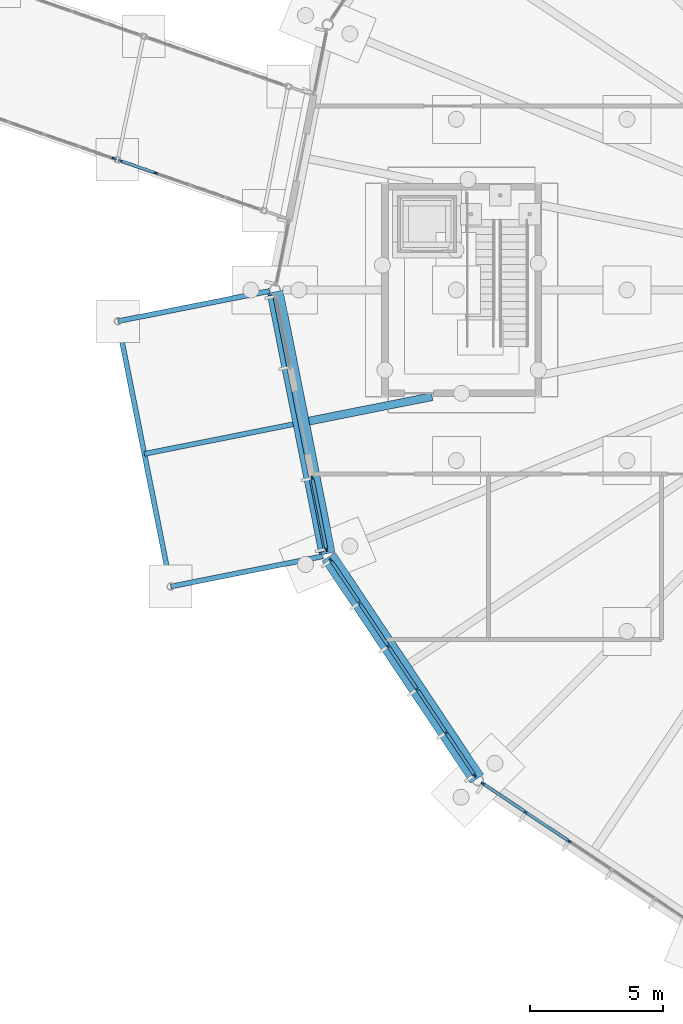
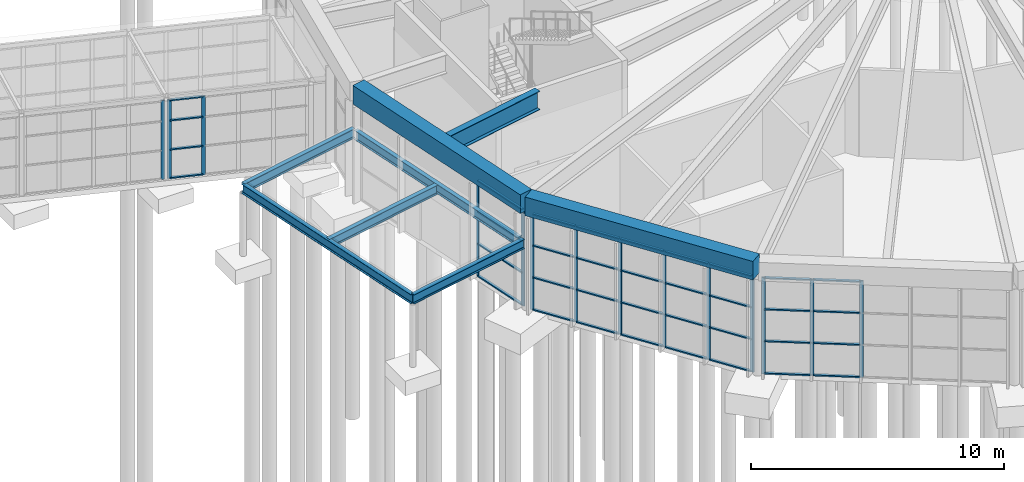
# One storey, part 49 of 226: 50 members, 8 beams, 5 elements without a shape of their own.
"""IFC4 building model written with IfcOpenShell, lengths in metres."""

from ifc_helpers import new_model, si_unit, direction, frame, origin, origin_2d, place, context, subcontext, project, spatial, rectangle, i_section, extrude, material, material_profile, profile_set, type_object, element, aggregate, save


model = new_model("IFC4")

# Units and contexts
model_context = context("Model", 3, precision=1e-05, world=origin(), true_north=direction((0.0, 1.0)))
body_context = subcontext(model_context, "Body", "Model", "MODEL_VIEW")
ifc_project = project(units=[si_unit("LENGTHUNIT", "METRE"), si_unit("AREAUNIT", "SQUARE_METRE"), si_unit("VOLUMEUNIT", "CUBIC_METRE"), si_unit("PLANEANGLEUNIT", "RADIAN"), si_unit("MASSUNIT", "GRAM", prefix="KILO")], contexts=[model_context])

# Site, building, storey
site_placement = place(None, origin())
site = spatial("IfcSite", under=ifc_project, at=site_placement, CompositionType="ELEMENT")
building_placement = place(site_placement, origin())
building = spatial("IfcBuilding", under=site, at=building_placement, Name="Ceibo Conservatory and Research Tower", CompositionType="ELEMENT")
storey_placement = place(building_placement, origin())
storey = spatial("IfcBuildingStorey", under=building, at=storey_placement, Name="L00", CompositionType="ELEMENT", Elevation=0.0)

# Curtain wall, member
ifc_material_1 = material(Name="Aluminium and glass", Category="aluminium")
curtain_wall_type_1 = type_object("IfcCurtainWallType", Name="Gallery curtain wall", PredefinedType="NOTDEFINED", material=ifc_material_1)
curtain_wall_1_placement = place(storey_placement, origin())
curtain_wall_1 = element("IfcCurtainWall", 1, at=curtain_wall_1_placement, inside=storey, type_object=curtain_wall_type_1, Name="Gallery curtain wall AUD-VC-CWS13", PredefinedType="NOTDEFINED")
ifc_material_2 = material(Name="Aluminium", Category="aluminium")
ifc_material_profile_1 = material_profile(ifc_material_2, rectangle(XDim=0.06005859375, YDim=0.159912109375, at=origin_2d()), Name="AL 60x160")
ifc_profile_set_1 = profile_set([ifc_material_profile_1], Name="Aluminium")
member_type_1 = type_object("IfcMemberType", Name="Gallery mullion 60x160", PredefinedType="MULLION", material=ifc_profile_set_1)
member_1_placement = place(storey_placement, frame((135.970947265625, 40.92626953125, 0.0), z_axis=(0.0, 0.0, 1.0), x_axis=(0.328283515513, 0.944579236191, 0.0)))
member_1 = element("IfcMember", 2, at=member_1_placement, type_object=member_type_1, Name="AUD-VC-CWS13 mullion 5", PredefinedType="MULLION", context=body_context, shape_type="SweptSolid", body=[
    extrude(rectangle(XDim=0.06005859375, YDim=0.159912109375, at=origin_2d()), origin(), (0.0, 0.0, 1.0), 3.800048828125),
])
aggregate(curtain_wall_1, [member_1])

# Curtain wall, members
curtain_wall_2_placement = place(storey_placement, origin())
curtain_wall_2 = element("IfcCurtainWall", 3, at=curtain_wall_2_placement, inside=storey, type_object=curtain_wall_type_1, Name="Gallery curtain wall AUD-VC-CWS14", PredefinedType="NOTDEFINED")
member_2_placement = place(storey_placement, frame((136.216552734375, 40.8408203125, 0.0), z_axis=(0.0, 0.0, 1.0), x_axis=(0.328283515513, 0.944579236191, 0.0)))
member_2 = element("IfcMember", 4, at=member_2_placement, type_object=member_type_1, Name="AUD-VC-CWS14 mullion 1", PredefinedType="MULLION", context=body_context, shape_type="SweptSolid", body=[
    extrude(rectangle(XDim=0.06005859375, YDim=0.159912109375, at=origin_2d()), origin(), (0.0, 0.0, 1.0), 3.800048828125),
])
member_3_placement = place(storey_placement, frame((137.51318359375, 40.390380859375, 0.0), z_axis=(0.0, 0.0, 1.0), x_axis=(0.328283515513, 0.944579236191, 0.0)))
member_3 = element("IfcMember", 5, at=member_3_placement, type_object=member_type_1, Name="AUD-VC-CWS14 mullion 2", PredefinedType="MULLION", context=body_context, shape_type="SweptSolid", body=[
    extrude(rectangle(XDim=0.06005859375, YDim=0.159912109375, at=origin_2d()), origin(), (0.0, 0.0, 1.0), 3.800048828125),
])
ifc_material_profile_2 = material_profile(ifc_material_2, rectangle(XDim=0.1201171875, YDim=0.06005859375, at=origin_2d()), Name="AL 60x120")
ifc_profile_set_2 = profile_set([ifc_material_profile_2], Name="Aluminium")
member_type_2 = type_object("IfcMemberType", Name="Gallery transom 60x120", PredefinedType="USERDEFINED", material=ifc_profile_set_2)
member_4_placement = place(storey_placement, frame((136.244873046875, 40.8310546875, 0.030029296875), z_axis=(0.944589591906, -0.328253717211, 0.0), x_axis=(0.328253717211, 0.944589591906, 0.0)))
member_4 = element("IfcMember", 6, at=member_4_placement, type_object=member_type_2, Name="AUD-VC-CWS14 transom 1.1", ObjectType="TRANSOM", PredefinedType="USERDEFINED", context=body_context, shape_type="SweptSolid", body=[
    extrude(rectangle(XDim=0.1201171875, YDim=0.06005859375, at=origin_2d()), origin(), (0.0, 0.0, 1.0), 1.312744140625),
])
member_5_placement = place(storey_placement, frame((136.244873046875, 40.8310546875, 1.39990234375), z_axis=(0.944589591906, -0.328253717211, 0.0), x_axis=(0.328253717211, 0.944589591906, 0.0)))
member_5 = element("IfcMember", 7, at=member_5_placement, type_object=member_type_2, Name="AUD-VC-CWS14 transom 1.2", ObjectType="TRANSOM", PredefinedType="USERDEFINED", context=body_context, shape_type="SweptSolid", body=[
    extrude(rectangle(XDim=0.1201171875, YDim=0.06005859375, at=origin_2d()), origin(), (0.0, 0.0, 1.0), 1.312744140625),
])
member_6_placement = place(storey_placement, frame((136.244873046875, 40.8310546875, 2.800048828125), z_axis=(0.944589591906, -0.328253717211, 0.0), x_axis=(0.328253717211, 0.944589591906, 0.0)))
member_6 = element("IfcMember", 8, at=member_6_placement, type_object=member_type_2, Name="AUD-VC-CWS14 transom 1.3", ObjectType="TRANSOM", PredefinedType="USERDEFINED", context=body_context, shape_type="SweptSolid", body=[
    extrude(rectangle(XDim=0.1201171875, YDim=0.06005859375, at=origin_2d()), origin(), (0.0, 0.0, 1.0), 1.312744140625),
])
member_7_placement = place(storey_placement, frame((136.244873046875, 40.8310546875, 3.77001953125), z_axis=(0.944589591906, -0.328253717211, 0.0), x_axis=(0.328253717211, 0.944589591906, 0.0)))
member_7 = element("IfcMember", 9, at=member_7_placement, type_object=member_type_2, Name="AUD-VC-CWS14 transom 1.4", ObjectType="TRANSOM", PredefinedType="USERDEFINED", context=body_context, shape_type="SweptSolid", body=[
    extrude(rectangle(XDim=0.1201171875, YDim=0.06005859375, at=origin_2d()), origin(), (0.0, 0.0, 1.0), 1.312744140625),
])
aggregate(curtain_wall_2, [member_2, member_3, member_4, member_5, member_6, member_7])

curtain_wall_type_2 = type_object("IfcCurtainWallType", Name="Pavilion curtain wall", PredefinedType="NOTDEFINED", material=ifc_material_1)
curtain_wall_3_placement = place(storey_placement, origin())
curtain_wall_3 = element("IfcCurtainWall", 10, at=curtain_wall_3_placement, inside=storey, type_object=curtain_wall_type_2, Name="Pavilion curtain wall VC-CW09E", PredefinedType="NOTDEFINED")
ifc_material_profile_3 = material_profile(ifc_material_2, rectangle(XDim=0.06005859375, YDim=0.159912109375, at=origin_2d()), Name="AL 60x160")
ifc_profile_set_3 = profile_set([ifc_material_profile_3], Name="Aluminium")
member_type_3 = type_object("IfcMemberType", Name="Pavilion mullion 60x160", PredefinedType="MULLION", material=ifc_profile_set_3)
member_8_placement = place(storey_placement, frame((143.405029296875, 28.93603515625, 0.0), z_axis=(0.0, 0.0, 1.0), x_axis=(0.980785282416, 0.195090311899, 0.0)))
member_8 = element("IfcMember", 11, at=member_8_placement, type_object=member_type_3, Name="VC-CW09E mullion 1", PredefinedType="MULLION", context=body_context, shape_type="SweptSolid", body=[
    extrude(rectangle(XDim=0.06005859375, YDim=0.159912109375, at=origin_2d()), origin(), (0.0, 0.0, 1.0), 4.64892578125),
])
member_9_placement = place(storey_placement, frame((143.93359375, 26.279052734375, 0.0), z_axis=(0.0, 0.0, 1.0), x_axis=(0.980785282416, 0.195090311899, 0.0)))
member_9 = element("IfcMember", 12, at=member_9_placement, type_object=member_type_3, Name="VC-CW09E mullion 2", PredefinedType="MULLION", context=body_context, shape_type="SweptSolid", body=[
    extrude(rectangle(XDim=0.06005859375, YDim=0.159912109375, at=origin_2d()), origin(), (0.0, 0.0, 1.0), 4.64892578125),
])

curtain_wall_4_placement = place(storey_placement, origin())
curtain_wall_4 = element("IfcCurtainWall", 13, at=curtain_wall_4_placement, inside=storey, type_object=curtain_wall_type_2, Name="Pavilion curtain wall VC-CW10", PredefinedType="NOTDEFINED")
member_10_placement = place(storey_placement, frame((144.108642578125, 25.8564453125, 0.0), z_axis=(0.0, 0.0, 1.0), x_axis=(0.831469588992, 0.555570267906, 0.0)))
member_10 = element("IfcMember", 14, at=member_10_placement, type_object=member_type_3, Name="VC-CW10 mullion 1", PredefinedType="MULLION", context=body_context, shape_type="SweptSolid", body=[
    extrude(rectangle(XDim=0.06005859375, YDim=0.159912109375, at=origin_2d()), origin(), (0.0, 0.0, 1.0), 4.64892578125),
])
member_11_placement = place(storey_placement, frame((145.174072265625, 24.261962890625, 0.0), z_axis=(0.0, 0.0, 1.0), x_axis=(0.831469588992, 0.555570267906, 0.0)))
member_11 = element("IfcMember", 15, at=member_11_placement, type_object=member_type_3, Name="VC-CW10 mullion 2", PredefinedType="MULLION", context=body_context, shape_type="SweptSolid", body=[
    extrude(rectangle(XDim=0.06005859375, YDim=0.159912109375, at=origin_2d()), origin(), (0.0, 0.0, 1.0), 4.64892578125),
])
member_12_placement = place(storey_placement, frame((146.256103515625, 22.642333984375, 0.0), z_axis=(0.0, 0.0, 1.0), x_axis=(0.831469588992, 0.555570267906, 0.0)))
member_12 = element("IfcMember", 16, at=member_12_placement, type_object=member_type_3, Name="VC-CW10 mullion 3", PredefinedType="MULLION", context=body_context, shape_type="SweptSolid", body=[
    extrude(rectangle(XDim=0.06005859375, YDim=0.159912109375, at=origin_2d()), origin(), (0.0, 0.0, 1.0), 4.64892578125),
])
member_13_placement = place(storey_placement, frame((147.338134765625, 21.02294921875, 0.0), z_axis=(0.0, 0.0, 1.0), x_axis=(0.831469588992, 0.555570267906, 0.0)))
member_13 = element("IfcMember", 17, at=member_13_placement, type_object=member_type_3, Name="VC-CW10 mullion 4", PredefinedType="MULLION", context=body_context, shape_type="SweptSolid", body=[
    extrude(rectangle(XDim=0.06005859375, YDim=0.159912109375, at=origin_2d()), origin(), (0.0, 0.0, 1.0), 4.64892578125),
])
member_14_placement = place(storey_placement, frame((148.420166015625, 19.403564453125, 0.0), z_axis=(0.0, 0.0, 1.0), x_axis=(0.831469588992, 0.555570267906, 0.0)))
member_14 = element("IfcMember", 18, at=member_14_placement, type_object=member_type_3, Name="VC-CW10 mullion 5", PredefinedType="MULLION", context=body_context, shape_type="SweptSolid", body=[
    extrude(rectangle(XDim=0.06005859375, YDim=0.159912109375, at=origin_2d()), origin(), (0.0, 0.0, 1.0), 4.64892578125),
])
member_15_placement = place(storey_placement, frame((149.485595703125, 17.80908203125, 0.0), z_axis=(0.0, 0.0, 1.0), x_axis=(0.831469588992, 0.555570267906, 0.0)))
member_15 = element("IfcMember", 19, at=member_15_placement, type_object=member_type_3, Name="VC-CW10 mullion 6", PredefinedType="MULLION", context=body_context, shape_type="SweptSolid", body=[
    extrude(rectangle(XDim=0.06005859375, YDim=0.159912109375, at=origin_2d()), origin(), (0.0, 0.0, 1.0), 4.64892578125),
])

curtain_wall_5_placement = place(storey_placement, origin())
curtain_wall_5 = element("IfcCurtainWall", 20, at=curtain_wall_5_placement, inside=storey, type_object=curtain_wall_type_2, Name="Pavilion curtain wall VC-CW11", PredefinedType="NOTDEFINED")
member_16_placement = place(storey_placement, frame((149.80908203125, 17.485595703125, 0.0), z_axis=(0.0, 0.0, 1.0), x_axis=(0.555570267906, 0.831469588992, 0.0)))
member_16 = element("IfcMember", 21, at=member_16_placement, type_object=member_type_3, Name="VC-CW11 mullion 1", PredefinedType="MULLION", context=body_context, shape_type="SweptSolid", body=[
    extrude(rectangle(XDim=0.06005859375, YDim=0.159912109375, at=origin_2d()), origin(), (0.0, 0.0, 1.0), 4.64892578125),
])
member_17_placement = place(storey_placement, frame((151.403564453125, 16.420166015625, 0.0), z_axis=(0.0, 0.0, 1.0), x_axis=(0.555570267906, 0.831469588992, 0.0)))
member_17 = element("IfcMember", 22, at=member_17_placement, type_object=member_type_3, Name="VC-CW11 mullion 2", PredefinedType="MULLION", context=body_context, shape_type="SweptSolid", body=[
    extrude(rectangle(XDim=0.06005859375, YDim=0.159912109375, at=origin_2d()), origin(), (0.0, 0.0, 1.0), 4.64892578125),
])
member_18_placement = place(storey_placement, frame((153.02294921875, 15.338134765625, 0.0), z_axis=(0.0, 0.0, 1.0), x_axis=(0.555570267906, 0.831469588992, 0.0)))
member_18 = element("IfcMember", 23, at=member_18_placement, type_object=member_type_3, Name="VC-CW11 mullion 3", PredefinedType="MULLION", context=body_context, shape_type="SweptSolid", body=[
    extrude(rectangle(XDim=0.06005859375, YDim=0.159912109375, at=origin_2d()), origin(), (0.0, 0.0, 1.0), 4.64892578125),
])

# Member
ifc_material_profile_4 = material_profile(ifc_material_2, rectangle(XDim=0.1201171875, YDim=0.06005859375, at=origin_2d()), Name="AL 60x120")
ifc_profile_set_4 = profile_set([ifc_material_profile_4], Name="Aluminium")
member_type_4 = type_object("IfcMemberType", Name="Pavilion transom 60x120", PredefinedType="USERDEFINED", material=ifc_profile_set_4)
member_19_placement = place(storey_placement, frame((143.410888671875, 28.90673828125, 0.030029296875), z_axis=(0.195088165617, -0.980785709335, 0.0), x_axis=(0.980785709335, 0.195088165617, 0.0)))
member_19 = element("IfcMember", 24, at=member_19_placement, type_object=member_type_4, Name="VC-CW09E transom 1.1", ObjectType="TRANSOM", PredefinedType="USERDEFINED", context=body_context, shape_type="SweptSolid", body=[
    extrude(rectangle(XDim=0.1201171875, YDim=0.06005859375, at=origin_2d()), origin(), (0.0, 0.0, 1.0), 2.6494140625),
])

member_20_placement = place(storey_placement, frame((143.410888671875, 28.90673828125, 1.5810546875), z_axis=(0.195088165617, -0.980785709335, 0.0), x_axis=(0.980785709335, 0.195088165617, 0.0)))
member_20 = element("IfcMember", 25, at=member_20_placement, type_object=member_type_4, Name="VC-CW09E transom 1.2", ObjectType="TRANSOM", PredefinedType="USERDEFINED", context=body_context, shape_type="SweptSolid", body=[
    extrude(rectangle(XDim=0.1201171875, YDim=0.06005859375, at=origin_2d()), origin(), (0.0, 0.0, 1.0), 2.6494140625),
])

member_21_placement = place(storey_placement, frame((143.410888671875, 28.90673828125, 3.114990234375), z_axis=(0.195088165617, -0.980785709335, 0.0), x_axis=(0.980785709335, 0.195088165617, 0.0)))
member_21 = element("IfcMember", 26, at=member_21_placement, type_object=member_type_4, Name="VC-CW09E transom 1.3", ObjectType="TRANSOM", PredefinedType="USERDEFINED", context=body_context, shape_type="SweptSolid", body=[
    extrude(rectangle(XDim=0.1201171875, YDim=0.06005859375, at=origin_2d()), origin(), (0.0, 0.0, 1.0), 2.6494140625),
])

member_22_placement = place(storey_placement, frame((143.410888671875, 28.90673828125, 4.618896484375), z_axis=(0.195088165617, -0.980785709335, 0.0), x_axis=(0.980785709335, 0.195088165617, 0.0)))
member_22 = element("IfcMember", 27, at=member_22_placement, type_object=member_type_4, Name="VC-CW09E transom 1.4", ObjectType="TRANSOM", PredefinedType="USERDEFINED", context=body_context, shape_type="SweptSolid", body=[
    extrude(rectangle(XDim=0.1201171875, YDim=0.06005859375, at=origin_2d()), origin(), (0.0, 0.0, 1.0), 2.6494140625),
])

aggregate(curtain_wall_3, [member_8, member_9, member_19, member_20, member_21, member_22])

member_23_placement = place(storey_placement, frame((144.125244140625, 25.831298828125, 0.030029296875), z_axis=(0.555670351469, -0.831402706574, 0.0), x_axis=(0.831402706574, 0.555670351469, 0.0)))
member_23 = element("IfcMember", 28, at=member_23_placement, type_object=member_type_4, Name="VC-CW10 transom 1.1", ObjectType="TRANSOM", PredefinedType="USERDEFINED", context=body_context, shape_type="SweptSolid", body=[
    extrude(rectangle(XDim=0.1201171875, YDim=0.06005859375, at=origin_2d()), origin(), (0.0, 0.0, 1.0), 1.857666015625),
])

member_24_placement = place(storey_placement, frame((144.125244140625, 25.831298828125, 1.5810546875), z_axis=(0.555670351469, -0.831402706574, 0.0), x_axis=(0.831402706574, 0.555670351469, 0.0)))
member_24 = element("IfcMember", 29, at=member_24_placement, type_object=member_type_4, Name="VC-CW10 transom 1.2", ObjectType="TRANSOM", PredefinedType="USERDEFINED", context=body_context, shape_type="SweptSolid", body=[
    extrude(rectangle(XDim=0.1201171875, YDim=0.06005859375, at=origin_2d()), origin(), (0.0, 0.0, 1.0), 1.857666015625),
])

member_25_placement = place(storey_placement, frame((144.125244140625, 25.831298828125, 3.114990234375), z_axis=(0.555670351469, -0.831402706574, 0.0), x_axis=(0.831402706574, 0.555670351469, 0.0)))
member_25 = element("IfcMember", 30, at=member_25_placement, type_object=member_type_4, Name="VC-CW10 transom 1.3", ObjectType="TRANSOM", PredefinedType="USERDEFINED", context=body_context, shape_type="SweptSolid", body=[
    extrude(rectangle(XDim=0.1201171875, YDim=0.06005859375, at=origin_2d()), origin(), (0.0, 0.0, 1.0), 1.857666015625),
])

member_26_placement = place(storey_placement, frame((144.125244140625, 25.831298828125, 4.618896484375), z_axis=(0.555670351469, -0.831402706574, 0.0), x_axis=(0.831402706574, 0.555670351469, 0.0)))
member_26 = element("IfcMember", 31, at=member_26_placement, type_object=member_type_4, Name="VC-CW10 transom 1.4", ObjectType="TRANSOM", PredefinedType="USERDEFINED", context=body_context, shape_type="SweptSolid", body=[
    extrude(rectangle(XDim=0.1201171875, YDim=0.06005859375, at=origin_2d()), origin(), (0.0, 0.0, 1.0), 1.857666015625),
])

member_27_placement = place(storey_placement, frame((145.190673828125, 24.23681640625, 0.030029296875), z_axis=(0.555654974661, -0.831412983501, 0.0), x_axis=(0.831412983501, 0.555654974661, 0.0)))
member_27 = element("IfcMember", 32, at=member_27_placement, type_object=member_type_4, Name="VC-CW10 transom 2.1", ObjectType="TRANSOM", PredefinedType="USERDEFINED", context=body_context, shape_type="SweptSolid", body=[
    extrude(rectangle(XDim=0.1201171875, YDim=0.06005859375, at=origin_2d()), origin(), (0.0, 0.0, 1.0), 1.887451171875),
])

member_28_placement = place(storey_placement, frame((145.190673828125, 24.23681640625, 1.5810546875), z_axis=(0.555654974661, -0.831412983501, 0.0), x_axis=(0.831412983501, 0.555654974661, 0.0)))
member_28 = element("IfcMember", 33, at=member_28_placement, type_object=member_type_4, Name="VC-CW10 transom 2.2", ObjectType="TRANSOM", PredefinedType="USERDEFINED", context=body_context, shape_type="SweptSolid", body=[
    extrude(rectangle(XDim=0.1201171875, YDim=0.06005859375, at=origin_2d()), origin(), (0.0, 0.0, 1.0), 1.887451171875),
])

member_29_placement = place(storey_placement, frame((145.190673828125, 24.23681640625, 3.114990234375), z_axis=(0.555654974661, -0.831412983501, 0.0), x_axis=(0.831412983501, 0.555654974661, 0.0)))
member_29 = element("IfcMember", 34, at=member_29_placement, type_object=member_type_4, Name="VC-CW10 transom 2.3", ObjectType="TRANSOM", PredefinedType="USERDEFINED", context=body_context, shape_type="SweptSolid", body=[
    extrude(rectangle(XDim=0.1201171875, YDim=0.06005859375, at=origin_2d()), origin(), (0.0, 0.0, 1.0), 1.887451171875),
])

member_30_placement = place(storey_placement, frame((145.190673828125, 24.23681640625, 4.618896484375), z_axis=(0.555654974661, -0.831412983501, 0.0), x_axis=(0.831412983501, 0.555654974661, 0.0)))
member_30 = element("IfcMember", 35, at=member_30_placement, type_object=member_type_4, Name="VC-CW10 transom 2.4", ObjectType="TRANSOM", PredefinedType="USERDEFINED", context=body_context, shape_type="SweptSolid", body=[
    extrude(rectangle(XDim=0.1201171875, YDim=0.06005859375, at=origin_2d()), origin(), (0.0, 0.0, 1.0), 1.887451171875),
])

member_31_placement = place(storey_placement, frame((146.272705078125, 22.617431640625, 0.030029296875), z_axis=(0.555595226207, -0.831452911845, 0.0), x_axis=(0.831452911845, 0.555595226207, 0.0)))
member_31 = element("IfcMember", 36, at=member_31_placement, type_object=member_type_4, Name="VC-CW10 transom 3.1", ObjectType="TRANSOM", PredefinedType="USERDEFINED", context=body_context, shape_type="SweptSolid", body=[
    extrude(rectangle(XDim=0.1201171875, YDim=0.06005859375, at=origin_2d()), origin(), (0.0, 0.0, 1.0), 1.8876953125),
])

member_32_placement = place(storey_placement, frame((146.272705078125, 22.617431640625, 1.5810546875), z_axis=(0.555595226207, -0.831452911845, 0.0), x_axis=(0.831452911845, 0.555595226207, 0.0)))
member_32 = element("IfcMember", 37, at=member_32_placement, type_object=member_type_4, Name="VC-CW10 transom 3.2", ObjectType="TRANSOM", PredefinedType="USERDEFINED", context=body_context, shape_type="SweptSolid", body=[
    extrude(rectangle(XDim=0.1201171875, YDim=0.06005859375, at=origin_2d()), origin(), (0.0, 0.0, 1.0), 1.8876953125),
])

member_33_placement = place(storey_placement, frame((146.272705078125, 22.617431640625, 3.114990234375), z_axis=(0.555595226207, -0.831452911845, 0.0), x_axis=(0.831452911845, 0.555595226207, 0.0)))
member_33 = element("IfcMember", 38, at=member_33_placement, type_object=member_type_4, Name="VC-CW10 transom 3.3", ObjectType="TRANSOM", PredefinedType="USERDEFINED", context=body_context, shape_type="SweptSolid", body=[
    extrude(rectangle(XDim=0.1201171875, YDim=0.06005859375, at=origin_2d()), origin(), (0.0, 0.0, 1.0), 1.8876953125),
])

member_34_placement = place(storey_placement, frame((146.272705078125, 22.617431640625, 4.618896484375), z_axis=(0.555595226207, -0.831452911845, 0.0), x_axis=(0.831452911845, 0.555595226207, 0.0)))
member_34 = element("IfcMember", 39, at=member_34_placement, type_object=member_type_4, Name="VC-CW10 transom 3.4", ObjectType="TRANSOM", PredefinedType="USERDEFINED", context=body_context, shape_type="SweptSolid", body=[
    extrude(rectangle(XDim=0.1201171875, YDim=0.06005859375, at=origin_2d()), origin(), (0.0, 0.0, 1.0), 1.8876953125),
])

member_35_placement = place(storey_placement, frame((147.35498046875, 20.998046875, 0.030029296875), z_axis=(0.555505809977, -0.831512654794, 0.0), x_axis=(0.831512654794, 0.555505809977, 0.0)))
member_35 = element("IfcMember", 40, at=member_35_placement, type_object=member_type_4, Name="VC-CW10 transom 4.1", ObjectType="TRANSOM", PredefinedType="USERDEFINED", context=body_context, shape_type="SweptSolid", body=[
    extrude(rectangle(XDim=0.1201171875, YDim=0.06005859375, at=origin_2d()), origin(), (0.0, 0.0, 1.0), 1.8876953125),
])

member_36_placement = place(storey_placement, frame((147.35498046875, 20.998046875, 1.5810546875), z_axis=(0.555505809977, -0.831512654794, 0.0), x_axis=(0.831512654794, 0.555505809977, 0.0)))
member_36 = element("IfcMember", 41, at=member_36_placement, type_object=member_type_4, Name="VC-CW10 transom 4.2", ObjectType="TRANSOM", PredefinedType="USERDEFINED", context=body_context, shape_type="SweptSolid", body=[
    extrude(rectangle(XDim=0.1201171875, YDim=0.06005859375, at=origin_2d()), origin(), (0.0, 0.0, 1.0), 1.8876953125),
])

member_37_placement = place(storey_placement, frame((147.35498046875, 20.998046875, 3.114990234375), z_axis=(0.555505809977, -0.831512654794, 0.0), x_axis=(0.831512654794, 0.555505809977, 0.0)))
member_37 = element("IfcMember", 42, at=member_37_placement, type_object=member_type_4, Name="VC-CW10 transom 4.3", ObjectType="TRANSOM", PredefinedType="USERDEFINED", context=body_context, shape_type="SweptSolid", body=[
    extrude(rectangle(XDim=0.1201171875, YDim=0.06005859375, at=origin_2d()), origin(), (0.0, 0.0, 1.0), 1.8876953125),
])

member_38_placement = place(storey_placement, frame((147.35498046875, 20.998046875, 4.618896484375), z_axis=(0.555505809977, -0.831512654794, 0.0), x_axis=(0.831512654794, 0.555505809977, 0.0)))
member_38 = element("IfcMember", 43, at=member_38_placement, type_object=member_type_4, Name="VC-CW10 transom 4.4", ObjectType="TRANSOM", PredefinedType="USERDEFINED", context=body_context, shape_type="SweptSolid", body=[
    extrude(rectangle(XDim=0.1201171875, YDim=0.06005859375, at=origin_2d()), origin(), (0.0, 0.0, 1.0), 1.8876953125),
])

member_39_placement = place(storey_placement, frame((148.43701171875, 19.378662109375, 0.030029296875), z_axis=(0.555518784793, -0.831503986606, 0.0), x_axis=(0.831503986606, 0.555518784793, 0.0)))
member_39 = element("IfcMember", 44, at=member_39_placement, type_object=member_type_4, Name="VC-CW10 transom 5.1", ObjectType="TRANSOM", PredefinedType="USERDEFINED", context=body_context, shape_type="SweptSolid", body=[
    extrude(rectangle(XDim=0.1201171875, YDim=0.06005859375, at=origin_2d()), origin(), (0.0, 0.0, 1.0), 1.857666015625),
])

member_40_placement = place(storey_placement, frame((148.43701171875, 19.378662109375, 1.5810546875), z_axis=(0.555518784793, -0.831503986606, 0.0), x_axis=(0.831503986606, 0.555518784793, 0.0)))
member_40 = element("IfcMember", 45, at=member_40_placement, type_object=member_type_4, Name="VC-CW10 transom 5.2", ObjectType="TRANSOM", PredefinedType="USERDEFINED", context=body_context, shape_type="SweptSolid", body=[
    extrude(rectangle(XDim=0.1201171875, YDim=0.06005859375, at=origin_2d()), origin(), (0.0, 0.0, 1.0), 1.857666015625),
])

member_41_placement = place(storey_placement, frame((148.43701171875, 19.378662109375, 3.114990234375), z_axis=(0.555518784793, -0.831503986606, 0.0), x_axis=(0.831503986606, 0.555518784793, 0.0)))
member_41 = element("IfcMember", 46, at=member_41_placement, type_object=member_type_4, Name="VC-CW10 transom 5.3", ObjectType="TRANSOM", PredefinedType="USERDEFINED", context=body_context, shape_type="SweptSolid", body=[
    extrude(rectangle(XDim=0.1201171875, YDim=0.06005859375, at=origin_2d()), origin(), (0.0, 0.0, 1.0), 1.857666015625),
])

member_42_placement = place(storey_placement, frame((148.43701171875, 19.378662109375, 4.618896484375), z_axis=(0.555518784793, -0.831503986606, 0.0), x_axis=(0.831503986606, 0.555518784793, 0.0)))
member_42 = element("IfcMember", 47, at=member_42_placement, type_object=member_type_4, Name="VC-CW10 transom 5.4", ObjectType="TRANSOM", PredefinedType="USERDEFINED", context=body_context, shape_type="SweptSolid", body=[
    extrude(rectangle(XDim=0.1201171875, YDim=0.06005859375, at=origin_2d()), origin(), (0.0, 0.0, 1.0), 1.857666015625),
])

aggregate(curtain_wall_4, [member_10, member_11, member_12, member_13, member_14, member_15, member_23, member_24, member_25, member_26, member_27, member_28, member_29, member_30, member_31, member_32, member_33, member_34, member_35, member_36, member_37, member_38, member_39, member_40, member_41, member_42])

member_43_placement = place(storey_placement, frame((149.833984375, 17.468994140625, 0.030029296875), z_axis=(0.831503986606, -0.555518784793, 0.0), x_axis=(0.555518784793, 0.831503986606, 0.0)))
member_43 = element("IfcMember", 48, at=member_43_placement, type_object=member_type_4, Name="VC-CW11 transom 1.1", ObjectType="TRANSOM", PredefinedType="USERDEFINED", context=body_context, shape_type="SweptSolid", body=[
    extrude(rectangle(XDim=0.1201171875, YDim=0.06005859375, at=origin_2d()), origin(), (0.0, 0.0, 1.0), 1.857666015625),
])

member_44_placement = place(storey_placement, frame((149.833984375, 17.468994140625, 1.5810546875), z_axis=(0.831503986606, -0.555518784793, 0.0), x_axis=(0.555518784793, 0.831503986606, 0.0)))
member_44 = element("IfcMember", 49, at=member_44_placement, type_object=member_type_4, Name="VC-CW11 transom 1.2", ObjectType="TRANSOM", PredefinedType="USERDEFINED", context=body_context, shape_type="SweptSolid", body=[
    extrude(rectangle(XDim=0.1201171875, YDim=0.06005859375, at=origin_2d()), origin(), (0.0, 0.0, 1.0), 1.857666015625),
])

member_45_placement = place(storey_placement, frame((149.833984375, 17.468994140625, 3.114990234375), z_axis=(0.831503986606, -0.555518784793, 0.0), x_axis=(0.555518784793, 0.831503986606, 0.0)))
member_45 = element("IfcMember", 50, at=member_45_placement, type_object=member_type_4, Name="VC-CW11 transom 1.3", ObjectType="TRANSOM", PredefinedType="USERDEFINED", context=body_context, shape_type="SweptSolid", body=[
    extrude(rectangle(XDim=0.1201171875, YDim=0.06005859375, at=origin_2d()), origin(), (0.0, 0.0, 1.0), 1.857666015625),
])

member_46_placement = place(storey_placement, frame((149.833984375, 17.468994140625, 4.618896484375), z_axis=(0.831503986606, -0.555518784793, 0.0), x_axis=(0.555518784793, 0.831503986606, 0.0)))
member_46 = element("IfcMember", 51, at=member_46_placement, type_object=member_type_4, Name="VC-CW11 transom 1.4", ObjectType="TRANSOM", PredefinedType="USERDEFINED", context=body_context, shape_type="SweptSolid", body=[
    extrude(rectangle(XDim=0.1201171875, YDim=0.06005859375, at=origin_2d()), origin(), (0.0, 0.0, 1.0), 1.857666015625),
])

member_47_placement = place(storey_placement, frame((151.428466796875, 16.403564453125, 0.030029296875), z_axis=(0.831512654794, -0.555505809977, 0.0), x_axis=(0.555505809977, 0.831512654794, 0.0)))
member_47 = element("IfcMember", 52, at=member_47_placement, type_object=member_type_4, Name="VC-CW11 transom 2.1", ObjectType="TRANSOM", PredefinedType="USERDEFINED", context=body_context, shape_type="SweptSolid", body=[
    extrude(rectangle(XDim=0.1201171875, YDim=0.06005859375, at=origin_2d()), origin(), (0.0, 0.0, 1.0), 1.8876953125),
])

member_48_placement = place(storey_placement, frame((151.428466796875, 16.403564453125, 1.5810546875), z_axis=(0.831512654794, -0.555505809977, 0.0), x_axis=(0.555505809977, 0.831512654794, 0.0)))
member_48 = element("IfcMember", 53, at=member_48_placement, type_object=member_type_4, Name="VC-CW11 transom 2.2", ObjectType="TRANSOM", PredefinedType="USERDEFINED", context=body_context, shape_type="SweptSolid", body=[
    extrude(rectangle(XDim=0.1201171875, YDim=0.06005859375, at=origin_2d()), origin(), (0.0, 0.0, 1.0), 1.8876953125),
])

member_49_placement = place(storey_placement, frame((151.428466796875, 16.403564453125, 3.114990234375), z_axis=(0.831512654794, -0.555505809977, 0.0), x_axis=(0.555505809977, 0.831512654794, 0.0)))
member_49 = element("IfcMember", 54, at=member_49_placement, type_object=member_type_4, Name="VC-CW11 transom 2.3", ObjectType="TRANSOM", PredefinedType="USERDEFINED", context=body_context, shape_type="SweptSolid", body=[
    extrude(rectangle(XDim=0.1201171875, YDim=0.06005859375, at=origin_2d()), origin(), (0.0, 0.0, 1.0), 1.8876953125),
])

member_50_placement = place(storey_placement, frame((151.428466796875, 16.403564453125, 4.618896484375), z_axis=(0.831512654794, -0.555505809977, 0.0), x_axis=(0.555505809977, 0.831512654794, 0.0)))
member_50 = element("IfcMember", 55, at=member_50_placement, type_object=member_type_4, Name="VC-CW11 transom 2.4", ObjectType="TRANSOM", PredefinedType="USERDEFINED", context=body_context, shape_type="SweptSolid", body=[
    extrude(rectangle(XDim=0.1201171875, YDim=0.06005859375, at=origin_2d()), origin(), (0.0, 0.0, 1.0), 1.8876953125),
])

aggregate(curtain_wall_5, [member_16, member_17, member_18, member_43, member_44, member_45, member_46, member_47, member_48, member_49, member_50])

# Beams
ifc_material_3 = material(Name="Concrete C35/45", Category="concrete")
ifc_material_profile_5 = material_profile(ifc_material_3, rectangle(XDim=0.60009765625, YDim=0.89990234375, at=origin_2d()), Name="RC 600x900")
ifc_profile_set_5 = profile_set([ifc_material_profile_5], Name="Concrete C35/45")
beam_type_1 = type_object("IfcBeamType", Name="RC ring beam 600x900", PredefinedType="BEAM", material=ifc_profile_set_5)
beam_1_placement = place(storey_placement, frame((142.011962890625, 35.939453125, 5.09912109375), z_axis=(0.195094678952, -0.980784413745, 0.0), x_axis=(0.980784413745, 0.195094678952, 0.0)))
element("IfcBeam", 56, at=beam_1_placement, inside=storey, type_object=beam_type_1, Name="Pavilion ring beam VC-RB09", PredefinedType="BEAM", context=body_context, shape_type="SweptSolid", body=[
    extrude(rectangle(XDim=0.60009765625, YDim=0.89990234375, at=origin_2d()), origin(), (0.0, 0.0, 1.0), 10.021240234375),
])
beam_2_placement = place(storey_placement, frame((144.013427734375, 25.9990234375, 5.09912109375), z_axis=(0.555571295566, -0.831468902331, 0.0), x_axis=(0.831468902331, 0.555571295566, 0.0)))
element("IfcBeam", 57, at=beam_2_placement, inside=storey, type_object=beam_type_1, Name="Pavilion ring beam VC-RB10", PredefinedType="BEAM", context=body_context, shape_type="SweptSolid", body=[
    extrude(rectangle(XDim=0.60009765625, YDim=0.89990234375, at=origin_2d()), origin(), (0.0, 0.0, 1.0), 10.021484375),
])
ifc_material_4 = material(Name="Steel S355J2", Category="steel")
ifc_material_profile_6 = material_profile(ifc_material_4, i_section(OverallWidth=0.18994140625, OverallDepth=0.449951171875, WebThickness=0.009521484375, FlangeThickness=0.0146484375, FilletRadius=0.02099609375, at=origin_2d()), Name="IPE 450")
ifc_profile_set_6 = profile_set([ifc_material_profile_6], Name="Steel S355J2")
beam_type_2 = type_object("IfcBeamType", Name="canopy beam IPE 450", PredefinedType="BEAM", material=ifc_profile_set_6)
beam_3_placement = place(storey_placement, frame((136.115234375, 34.829345703125, 3.22412109375), z_axis=(0.19510248453, -0.98078286105, 0.0), x_axis=(0.98078286105, 0.19510248453, 0.0)))
element("IfcBeam", 58, at=beam_3_placement, inside=storey, type_object=beam_type_2, Name="Canopy edge beam West", PredefinedType="BEAM", context=body_context, shape_type="SweptSolid", body=[
    extrude(i_section(OverallWidth=0.18994140625, OverallDepth=0.449951171875, WebThickness=0.009521484375, FlangeThickness=0.0146484375, FilletRadius=0.02099609375, at=origin_2d()), origin(), (0.0, 0.0, 1.0), 10.144775390625),
])
beam_4_placement = place(storey_placement, frame((136.115234375, 34.829345703125, 3.22412109375), z_axis=(0.98077940709, 0.195119846833, 0.0), x_axis=(-0.195119846833, 0.98077940709, 0.0)))
element("IfcBeam", 59, at=beam_4_placement, inside=storey, type_object=beam_type_2, Name="Canopy rafter West 1", PredefinedType="BEAM", context=body_context, shape_type="SweptSolid", body=[
    extrude(i_section(OverallWidth=0.18994140625, OverallDepth=0.449951171875, WebThickness=0.009521484375, FlangeThickness=0.0146484375, FilletRadius=0.02099609375, at=origin_2d()), origin(), (0.0, 0.0, 1.0), 5.796875),
])
beam_5_placement = place(storey_placement, frame((138.094482421875, 24.879638671875, 3.22412109375), z_axis=(0.980785863043, 0.195087392864, 0.0), x_axis=(-0.195087392864, 0.980785863043, 0.0)))
element("IfcBeam", 60, at=beam_5_placement, inside=storey, type_object=beam_type_2, Name="Canopy rafter West 2", PredefinedType="BEAM", context=body_context, shape_type="SweptSolid", body=[
    extrude(i_section(OverallWidth=0.18994140625, OverallDepth=0.449951171875, WebThickness=0.009521484375, FlangeThickness=0.0146484375, FilletRadius=0.02099609375, at=origin_2d()), origin(), (0.0, 0.0, 1.0), 5.796630859375),
])
beam_6_placement = place(storey_placement, frame((141.8154296875, 35.800048828125, 3.22412109375), z_axis=(0.195102886325, -0.980782781123, 0.0), x_axis=(0.980782781123, 0.195102886325, 0.0)))
element("IfcBeam", 61, at=beam_6_placement, inside=storey, type_object=beam_type_2, Name="Canopy facade beam West", PredefinedType="BEAM", context=body_context, shape_type="SweptSolid", body=[
    extrude(i_section(OverallWidth=0.18994140625, OverallDepth=0.449951171875, WebThickness=0.009521484375, FlangeThickness=0.0146484375, FilletRadius=0.02099609375, at=origin_2d()), origin(), (0.0, 0.0, 1.0), 9.82421875),
])
beam_7_placement = place(storey_placement, frame((142.6806640625, 30.963623046875, 3.22412109375), z_axis=(-0.9807849481, -0.19509199261, 0.0), x_axis=(0.19509199261, -0.9807849481, 0.0)))
element("IfcBeam", 62, at=beam_7_placement, inside=storey, type_object=beam_type_2, Name="Canopy rafter West 3", PredefinedType="BEAM", context=body_context, shape_type="SweptSolid", body=[
    extrude(i_section(OverallWidth=0.18994140625, OverallDepth=0.449951171875, WebThickness=0.009521484375, FlangeThickness=0.0146484375, FilletRadius=0.02099609375, at=origin_2d()), origin(), (0.0, 0.0, 1.0), 5.68505859375),
])
ifc_material_profile_7 = material_profile(ifc_material_4, i_section(OverallWidth=0.300048828125, OverallDepth=0.89990234375, WebThickness=0.011962890625, FlangeThickness=0.02490234375, at=origin_2d()), Name="PG 900x300")
ifc_profile_set_7 = profile_set([ifc_material_profile_7], Name="Steel S355J2")
beam_type_3 = type_object("IfcBeamType", Name="pavilion radial roof beam PG 900x300", PredefinedType="BEAM", material=ifc_profile_set_7)
beam_8_placement = place(storey_placement, frame((147.8955078125, 32.0009765625, 5.09912109375), z_axis=(-0.98078957601, -0.195068725297, 0.0), x_axis=(0.195068725297, -0.98078957601, 0.0)))
element("IfcBeam", 63, at=beam_8_placement, inside=storey, type_object=beam_type_3, Name="Radial roof beam VC-RR18B", PredefinedType="BEAM", context=body_context, shape_type="SweptSolid", body=[
    extrude(i_section(OverallWidth=0.300048828125, OverallDepth=0.89990234375, WebThickness=0.011962890625, FlangeThickness=0.02490234375, at=origin_2d()), origin(), (0.0, 0.0, 1.0), 4.70703125),
])

save(model, "model.ifc")
